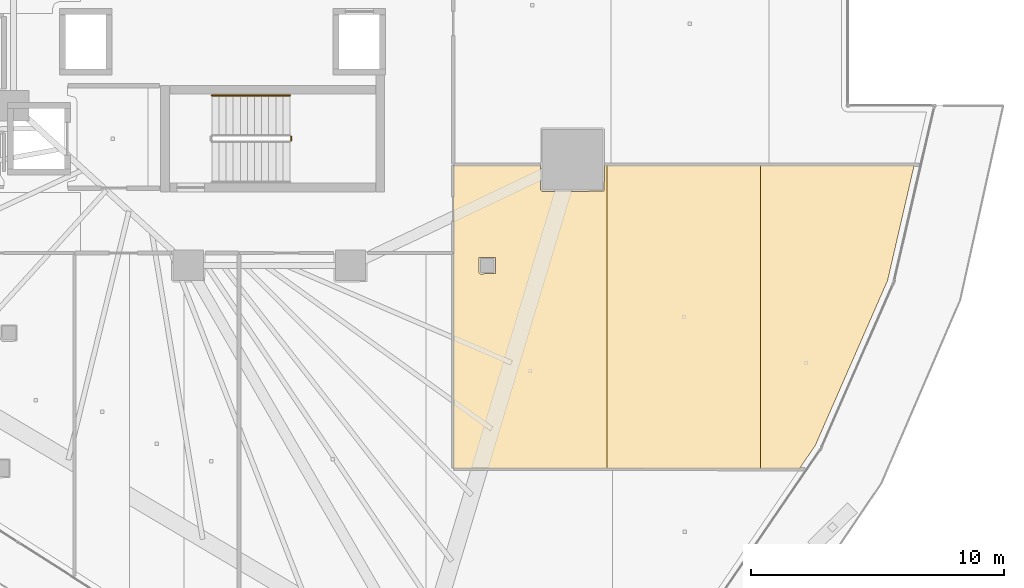
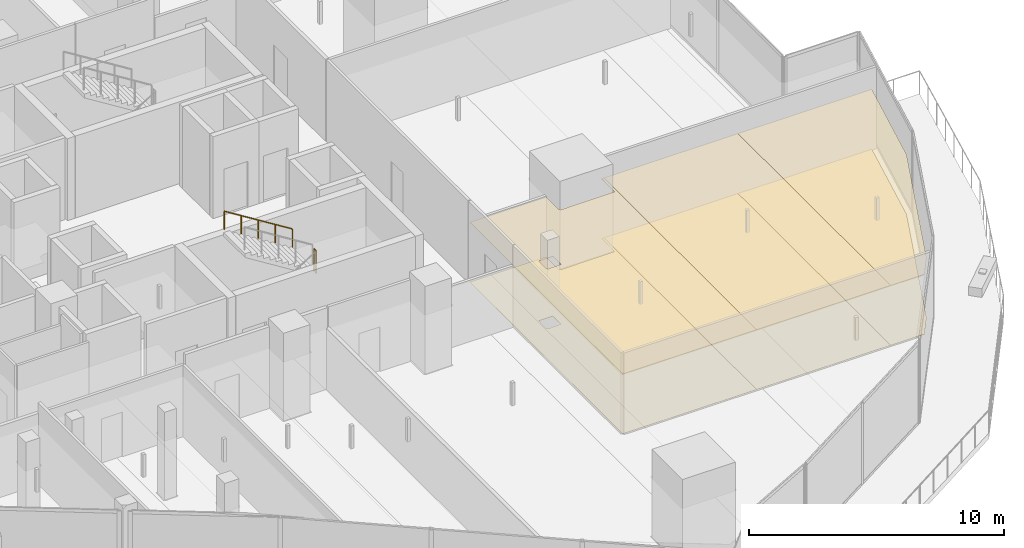
# One storey, part 43 of 46: 6 coverings, 2 railings.
"""IFC4 building model written with IfcOpenShell, lengths in metres."""

from ifc_helpers import new_model, si_unit, direction, frame, origin, origin_2d, place, context, subcontext, project, spatial, polyline, circle, outline, extrude, material, layer, layer_set, type_object, element, save


model = new_model("IFC4")

# Units and contexts
model_context = context("Model", 3, precision=1e-05, world=origin(), true_north=direction((0.0, 1.0)))
body_context = subcontext(model_context, "Body", "Model", "MODEL_VIEW")
ifc_project = project(units=[si_unit("LENGTHUNIT", "METRE"), si_unit("AREAUNIT", "SQUARE_METRE"), si_unit("VOLUMEUNIT", "CUBIC_METRE"), si_unit("PLANEANGLEUNIT", "RADIAN"), si_unit("MASSUNIT", "GRAM", prefix="KILO")], contexts=[model_context])

# Site, building, storey
site_placement = place(None, origin())
site = spatial("IfcSite", under=ifc_project, at=site_placement, CompositionType="ELEMENT")
building_placement = place(site_placement, origin())
building = spatial("IfcBuilding", under=site, at=building_placement, Name="Qorvath Tower", CompositionType="ELEMENT")
storey_placement = place(building_placement, frame((0.0, 0.0, 87.0)))
storey = spatial("IfcBuildingStorey", under=building, at=storey_placement, Name="L19", CompositionType="ELEMENT", Elevation=87.0)

# Coverings
ifc_material_1 = material(Name="Acoustic mineral fibre ceiling tile", Category="gypsum")
ifc_layer_1 = layer(ifc_material_1, 0.030029296875)
ifc_layer_set_1 = layer_set([ifc_layer_1], Name="COV-CEIL")
covering_type_1 = type_object("IfcCoveringType", Name="COV-CEIL", PredefinedType="CEILING", material=ifc_layer_set_1)
covering_1_placement = place(storey_placement, frame((0.0, 0.0, 2.85009765625)))
element("IfcCovering", 1, at=covering_1_placement, inside=storey, type_object=covering_type_1, Name="L19 Suspended Acoustic Ceiling 028", PredefinedType="CEILING", context=body_context, shape_type="SweptSolid", body=[
    extrude(outline(polyline([(-13.136962890625, -19.470458984375), (-7.07177734375, -19.4775390625), (-7.07177734375, -7.48291015625), (-7.17041015625, -7.48291015625), (-7.18798828125, -8.518798828125), (-9.63037109375, -8.536376953125), (-9.690185546875, -8.476318359375), (-9.690185546875, -7.48291015625), (-13.136962890625, -7.48291015625), (-13.136962890625, -19.470458984375)]), holes=[polyline([(-12.135009765625, -11.72509765625), (-12.117431640625, -11.132568359375), (-11.482666015625, -11.132568359375), (-11.482666015625, -11.767333984375), (-12.074951171875, -11.784912109375), (-12.135009765625, -11.72509765625)])]), origin(), (0.0, 0.0, 1.0), 0.030029296875),
])
covering_2_placement = place(storey_placement, frame((0.0, 0.0, 2.85009765625)))
element("IfcCovering", 2, at=covering_2_placement, inside=storey, type_object=covering_type_1, Name="L19 Suspended Acoustic Ceiling 029", PredefinedType="CEILING", context=body_context, shape_type="SweptSolid", body=[
    extrude(outline(polyline([(-7.07177734375, -7.48291015625), (-7.07177734375, -19.4775390625), (-1.00634765625, -19.484619140625), (-1.00634765625, -7.48291015625), (-7.07177734375, -7.48291015625)])), origin(), (0.0, 0.0, 1.0), 0.030029296875),
])
covering_3_placement = place(storey_placement, frame((0.0, 0.0, 2.85009765625)))
element("IfcCovering", 3, at=covering_3_placement, inside=storey, type_object=covering_type_1, Name="L19 Suspended Acoustic Ceiling 030", PredefinedType="CEILING", context=body_context, shape_type="SweptSolid", body=[
    extrude(outline(polyline([(-1.00634765625, -7.48291015625), (-1.00634765625, -19.484619140625), (0.517578125, -19.486572265625), (1.148681640625, -18.5625), (4.00634765625, -12.042724609375), (5.058837890625, -7.48291015625), (-1.00634765625, -7.48291015625)])), origin(), (0.0, 0.0, 1.0), 0.030029296875),
])
ifc_material_2 = material(Name="Low-VOC modular carpet tile", Category="textile")
ifc_layer_2 = layer(ifc_material_2, 0.014892578125)
ifc_layer_set_2 = layer_set([ifc_layer_2], Name="COV-FLOOR-CPT")
covering_type_2 = type_object("IfcCoveringType", Name="COV-FLOOR-CPT", PredefinedType="FLOORING", material=ifc_layer_set_2)
covering_4_placement = place(storey_placement, origin())
element("IfcCovering", 4, at=covering_4_placement, inside=storey, type_object=covering_type_2, Name="L19 Floor Finish 028", PredefinedType="FLOORING", context=body_context, shape_type="SweptSolid", body=[
    extrude(outline(polyline([(-13.136962890625, -19.470458984375), (-7.07177734375, -19.4775390625), (-7.07177734375, -7.48291015625), (-7.17041015625, -7.48291015625), (-7.18798828125, -8.518798828125), (-9.63037109375, -8.536376953125), (-9.690185546875, -8.476318359375), (-9.690185546875, -7.48291015625), (-13.136962890625, -7.48291015625), (-13.136962890625, -19.470458984375)]), holes=[polyline([(-12.135009765625, -11.72509765625), (-12.117431640625, -11.132568359375), (-11.482666015625, -11.132568359375), (-11.482666015625, -11.767333984375), (-12.074951171875, -11.784912109375), (-12.135009765625, -11.72509765625)])]), origin(), (0.0, 0.0, 1.0), 0.014892578125),
])
covering_5_placement = place(storey_placement, origin())
element("IfcCovering", 5, at=covering_5_placement, inside=storey, type_object=covering_type_2, Name="L19 Floor Finish 029", PredefinedType="FLOORING", context=body_context, shape_type="SweptSolid", body=[
    extrude(outline(polyline([(-7.07177734375, -7.48291015625), (-7.07177734375, -19.4775390625), (-1.00634765625, -19.484619140625), (-1.00634765625, -7.48291015625), (-7.07177734375, -7.48291015625)])), origin(), (0.0, 0.0, 1.0), 0.014892578125),
])
covering_6_placement = place(storey_placement, origin())
element("IfcCovering", 6, at=covering_6_placement, inside=storey, type_object=covering_type_2, Name="L19 Floor Finish 030", PredefinedType="FLOORING", context=body_context, shape_type="SweptSolid", body=[
    extrude(outline(polyline([(-1.00634765625, -7.48291015625), (-1.00634765625, -19.484619140625), (0.517578125, -19.486572265625), (1.148681640625, -18.5625), (4.00634765625, -12.042724609375), (5.058837890625, -7.48291015625), (-1.00634765625, -7.48291015625)])), origin(), (0.0, 0.0, 1.0), 0.014892578125),
])

# Railings
ifc_material_3 = material(Name="Painted galvanised steel", Category="steel")
railing_type_1 = type_object("IfcRailingType", Name="RL-STR-GRD", PredefinedType="GUARDRAIL", material=ifc_material_3)
railing_1_placement = place(storey_placement, frame((-19.5400390625, -6.52001953125, 2.10009765625)))
element("IfcRailing", 7, at=railing_1_placement, inside=storey, type_object=railing_type_1, Name="L19 TS2 stair guard 2", PredefinedType="GUARDRAIL", context=body_context, shape_type="SweptSolid", body=[
    extrude(circle(Radius=0.02392578125, at=origin_2d()), frame((0.0, 0.0, 1.076171875), z_axis=(0.0, 1.0, 0.0), x_axis=(-1.0, 0.0, 0.0)), (0.0, 0.0, 1.0), 0.14990234375),
    extrude(circle(Radius=0.02099609375, at=origin_2d()), origin(), (0.0, 0.0, 1.0), 1.052001953125),
    extrude(circle(Radius=0.02099609375, at=origin_2d()), frame((0.0, 0.14990234375, 0.0)), (0.0, 0.0, 1.0), 1.052001953125),
])
ifc_material_4 = material(Name="Brushed stainless steel AISI 304", Category="steel")
railing_type_2 = type_object("IfcRailingType", Name="RL-STR-HND", PredefinedType="HANDRAIL", material=ifc_material_4)
railing_2_placement = place(storey_placement, frame((-19.590087890625, -4.739990234375, 2.27490234375)))
element("IfcRailing", 8, at=railing_2_placement, inside=storey, type_object=railing_type_2, Name="L19 TS2 stair handrail 2", PredefinedType="HANDRAIL", context=body_context, shape_type="SweptSolid", body=[
    extrude(circle(Radius=0.02392578125, at=origin_2d()), frame((0.0, 0.0, 0.8759765625), z_axis=(-0.847979421464, 0.0, 0.530029150871), x_axis=(0.0, -1.0, 0.0)), (0.0, 0.0, 1.0), 3.632080078125),
    extrude(circle(Radius=0.02099609375, at=origin_2d()), origin(), (0.0, 0.0, 1.0), 0.851806640625),
    extrude(circle(Radius=0.02099609375, at=origin_2d()), frame((-0.77001953125, 0.0, 0.481201171875)), (0.0, 0.0, 1.0), 0.851806640625),
    extrude(circle(Radius=0.02099609375, at=origin_2d()), frame((-1.5400390625, 0.0, 0.96240234375)), (0.0, 0.0, 1.0), 0.851806640625),
    extrude(circle(Radius=0.02099609375, at=origin_2d()), frame((-2.309814453125, 0.0, 1.44384765625)), (0.0, 0.0, 1.0), 0.851806640625),
    extrude(circle(Radius=0.02099609375, at=origin_2d()), frame((-3.079833984375, 0.0, 1.925048828125)), (0.0, 0.0, 1.0), 0.851806640625),
])

save(model, "model.ifc")
